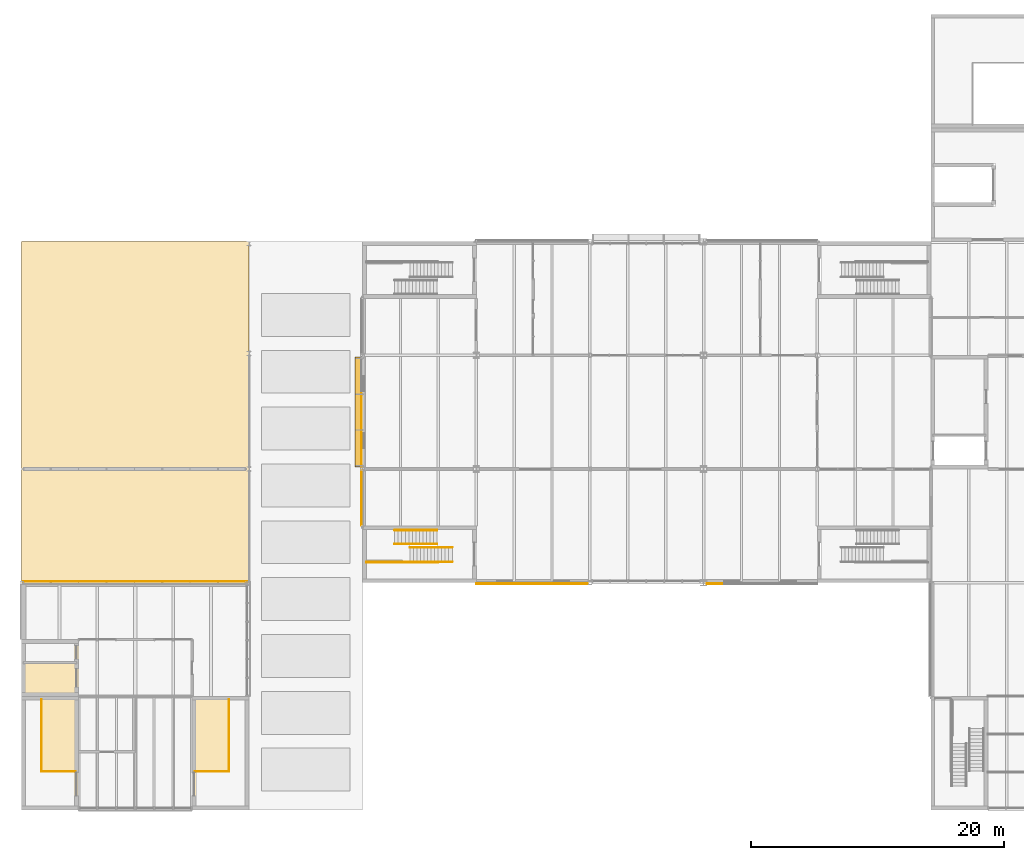
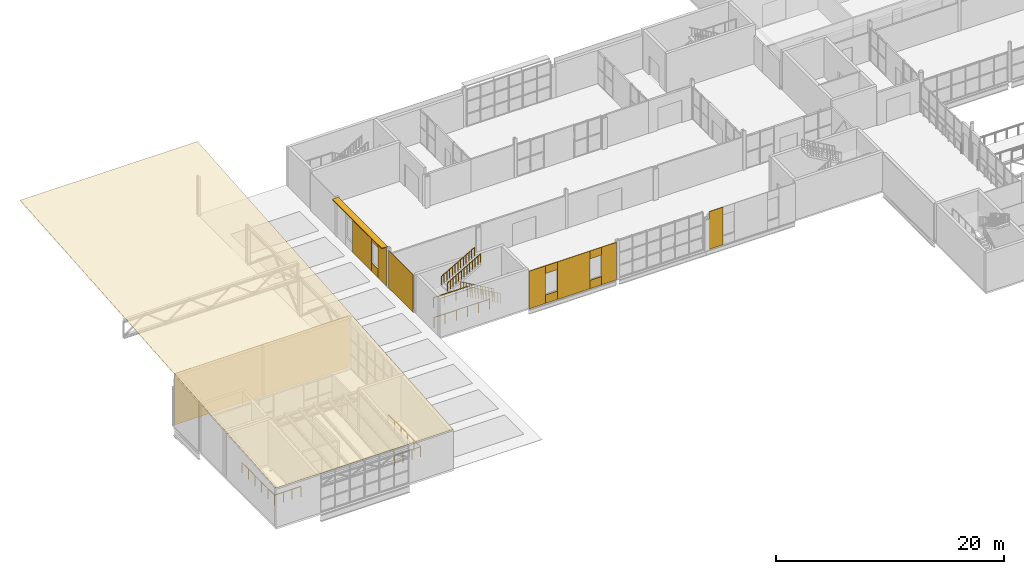
# One storey, part 54 of 61: 16 coverings, 8 railings, 1 shading device.
"""IFC4 building model written with IfcOpenShell, lengths in metres."""

from ifc_helpers import new_model, si_unit, direction, frame, frame_2d, origin, origin_2d, place, context, subcontext, project, spatial, polyline, rectangle, circle, outline, extrude, material, layer, layer_set, type_object, element, save


model = new_model("IFC4")

# Units and contexts
model_context = context("Model", 3, precision=1e-05, world=origin(), true_north=direction((0.0, 1.0)))
body_context = subcontext(model_context, "Body", "Model", "MODEL_VIEW")
ifc_project = project(units=[si_unit("LENGTHUNIT", "METRE"), si_unit("AREAUNIT", "SQUARE_METRE"), si_unit("VOLUMEUNIT", "CUBIC_METRE"), si_unit("PLANEANGLEUNIT", "RADIAN"), si_unit("MASSUNIT", "GRAM", prefix="KILO")], contexts=[model_context])

# Site, building, storey
site_placement = place(None, origin())
site = spatial("IfcSite", under=ifc_project, at=site_placement, CompositionType="ELEMENT")
building_placement = place(site_placement, origin())
building = spatial("IfcBuilding", under=site, at=building_placement, Name="Halyard Row Museum", CompositionType="ELEMENT")
storey_placement = place(building_placement, frame((0.0, 0.0, 9.199951171875)))
storey = spatial("IfcBuildingStorey", under=building, at=storey_placement, Name="L02", CompositionType="ELEMENT", Elevation=9.199951171875)

# Railings
ifc_material_1 = material(Name="Steel Grade 300", Category="steel")
railing_type_1 = type_object("IfcRailingType", Name="Guard GR2 steel balustrade 1100", PredefinedType="GUARDRAIL", material=ifc_material_1)
railing_1_placement = place(storey_placement, frame((34.10009765625, 19.64990234375, 0.16162109375)))
element("IfcRailing", 1, at=railing_1_placement, inside=storey, type_object=railing_type_1, Name="Guard GR035", PredefinedType="GUARDRAIL", context=body_context, shape_type="SweptSolid", body=[
    extrude(circle(Radius=0.02392578125, at=origin_2d()), frame((0.0, 0.0, 1.076171875), z_axis=(-0.86609757561, 0.0, 0.499874973892), x_axis=(0.0, -1.0, 0.0)), (0.0, 0.0, 1.0), 0.3232421875),
    extrude(circle(Radius=0.02392578125, at=origin_2d()), frame((-0.280029296875, 0.0, 1.23779296875), z_axis=(-0.866424426198, 0.0, 0.49930823515), x_axis=(0.0, -1.0, 0.0)), (0.0, 0.0, 1.0), 0.3232421875),
    extrude(circle(Radius=0.02392578125, at=origin_2d()), frame((-0.56005859375, 0.0, 1.39892578125), z_axis=(-0.86609757561, 0.0, 0.499874973892), x_axis=(0.0, -1.0, 0.0)), (0.0, 0.0, 1.0), 0.3232421875),
    extrude(circle(Radius=0.02392578125, at=origin_2d()), frame((-0.840087890625, 0.0, 1.560546875), z_axis=(-0.86609757561, 0.0, 0.499874973892), x_axis=(0.0, -1.0, 0.0)), (0.0, 0.0, 1.0), 0.3232421875),
    extrude(circle(Radius=0.02392578125, at=origin_2d()), frame((-1.1201171875, 0.0, 1.72216796875), z_axis=(-0.866424426198, 0.0, 0.49930823515), x_axis=(0.0, -1.0, 0.0)), (0.0, 0.0, 1.0), 0.3232421875),
    extrude(circle(Radius=0.02392578125, at=origin_2d()), frame((-1.400146484375, 0.0, 1.8837890625), z_axis=(-0.86609757561, 0.0, 0.499874973892), x_axis=(0.0, -1.0, 0.0)), (0.0, 0.0, 1.0), 0.3232421875),
    extrude(circle(Radius=0.02392578125, at=origin_2d()), frame((-1.68017578125, 0.0, 2.04541015625), z_axis=(-0.866424426198, 0.0, 0.49930823515), x_axis=(0.0, -1.0, 0.0)), (0.0, 0.0, 1.0), 0.3232421875),
    extrude(circle(Radius=0.02392578125, at=origin_2d()), frame((-1.960205078125, 0.0, 2.20654296875), z_axis=(-0.865908710228, 0.0, 0.500202064721), x_axis=(0.0, -1.0, 0.0)), (0.0, 0.0, 1.0), 0.322998046875),
    extrude(circle(Radius=0.02392578125, at=origin_2d()), frame((-2.239990234375, 0.0, 2.3681640625), z_axis=(-0.86609757561, 0.0, 0.499874973892), x_axis=(0.0, -1.0, 0.0)), (0.0, 0.0, 1.0), 0.3232421875),
    extrude(circle(Radius=0.02392578125, at=origin_2d()), frame((-2.52001953125, 0.0, 2.52978515625), z_axis=(-0.866424426198, 0.0, 0.49930823515), x_axis=(0.0, -1.0, 0.0)), (0.0, 0.0, 1.0), 0.3232421875),
    extrude(circle(Radius=0.02392578125, at=origin_2d()), frame((-2.800048828125, 0.0, 2.69140625), z_axis=(-0.86609757561, 0.0, 0.499874973892), x_axis=(0.0, -1.0, 0.0)), (0.0, 0.0, 1.0), 0.3232421875),
    extrude(circle(Radius=0.02392578125, at=origin_2d()), frame((-3.080078125, 0.0, 2.85302734375), z_axis=(-0.86609757561, 0.0, 0.499874973892), x_axis=(0.0, -1.0, 0.0)), (0.0, 0.0, 1.0), 0.3232421875),
    extrude(circle(Radius=0.02099609375, at=origin_2d()), origin(), (0.0, 0.0, 1.0), 1.052001953125),
    extrude(circle(Radius=0.02099609375, at=origin_2d()), frame((-0.280029296875, 0.0, 0.16162109375)), (0.0, 0.0, 1.0), 1.052001953125),
    extrude(circle(Radius=0.02099609375, at=origin_2d()), frame((-0.56005859375, 0.0, 0.322998046875)), (0.0, 0.0, 1.0), 1.052001953125),
    extrude(circle(Radius=0.02099609375, at=origin_2d()), frame((-0.840087890625, 0.0, 0.484619140625)), (0.0, 0.0, 1.0), 1.052001953125),
    extrude(circle(Radius=0.02099609375, at=origin_2d()), frame((-1.1201171875, 0.0, 0.646240234375)), (0.0, 0.0, 1.0), 1.052001953125),
    extrude(circle(Radius=0.02099609375, at=origin_2d()), frame((-1.400146484375, 0.0, 0.8076171875)), (0.0, 0.0, 1.0), 1.052001953125),
    extrude(circle(Radius=0.02099609375, at=origin_2d()), frame((-1.68017578125, 0.0, 0.96923828125)), (0.0, 0.0, 1.0), 1.052001953125),
    extrude(circle(Radius=0.02099609375, at=origin_2d()), frame((-1.960205078125, 0.0, 1.130615234375)), (0.0, 0.0, 1.0), 1.052001953125),
    extrude(circle(Radius=0.02099609375, at=origin_2d()), frame((-2.239990234375, 0.0, 1.292236328125)), (0.0, 0.0, 1.0), 1.052001953125),
    extrude(circle(Radius=0.02099609375, at=origin_2d()), frame((-2.52001953125, 0.0, 1.453857421875)), (0.0, 0.0, 1.0), 1.052001953125),
    extrude(circle(Radius=0.02099609375, at=origin_2d()), frame((-2.800048828125, 0.0, 1.615234375)), (0.0, 0.0, 1.0), 1.052001953125),
    extrude(circle(Radius=0.02099609375, at=origin_2d()), frame((-3.080078125, 0.0, 1.77685546875)), (0.0, 0.0, 1.0), 1.052001953125),
    extrude(circle(Radius=0.02099609375, at=origin_2d()), frame((-3.360107421875, 0.0, 1.9384765625)), (0.0, 0.0, 1.0), 1.052001953125),
])
railing_2_placement = place(storey_placement, frame((30.739990234375, 19.64990234375, 2.10009765625)))
element("IfcRailing", 2, at=railing_2_placement, inside=storey, type_object=railing_type_1, Name="Guard GR036", PredefinedType="GUARDRAIL", context=body_context, shape_type="SweptSolid", body=[
    extrude(circle(Radius=0.02392578125, at=origin_2d()), frame((0.0, 0.0, 1.076171875), z_axis=(-1.0, 0.0, 0.0), x_axis=(0.0, -1.0, 0.0)), (0.0, 0.0, 1.0), 3.43994140625),
    extrude(circle(Radius=0.02099609375, at=origin_2d()), origin(), (0.0, 0.0, 1.0), 1.052001953125),
    extrude(circle(Radius=0.02099609375, at=origin_2d()), frame((-1.146728515625, 0.0, 0.0)), (0.0, 0.0, 1.0), 1.052001953125),
    extrude(circle(Radius=0.02099609375, at=origin_2d()), frame((-2.293212890625, 0.0, 0.0)), (0.0, 0.0, 1.0), 1.052001953125),
    extrude(circle(Radius=0.02099609375, at=origin_2d()), frame((-3.43994140625, 0.0, 0.0)), (0.0, 0.0, 1.0), 1.052001953125),
])
railing_3_placement = place(storey_placement, frame((32.9599609375, 19.590087890625, 0.0)))
element("IfcRailing", 3, at=railing_3_placement, inside=storey, type_object=railing_type_1, Name="Guard GR153", PredefinedType="GUARDRAIL", context=body_context, shape_type="SweptSolid", body=[
    extrude(circle(Radius=0.02392578125, at=origin_2d()), frame((0.0, 0.0, 1.076171875), z_axis=(-1.0, 0.0, 0.0), x_axis=(0.0, -1.0, 0.0)), (0.0, 0.0, 1.0), 5.6298828125),
    extrude(circle(Radius=0.02099609375, at=origin_2d()), origin(), (0.0, 0.0, 1.0), 1.052001953125),
    extrude(circle(Radius=0.02099609375, at=origin_2d()), frame((-1.1259765625, 0.0, 0.0)), (0.0, 0.0, 1.0), 1.052001953125),
    extrude(circle(Radius=0.02099609375, at=origin_2d()), frame((-2.251953125, 0.0, 0.0)), (0.0, 0.0, 1.0), 1.052001953125),
    extrude(circle(Radius=0.02099609375, at=origin_2d()), frame((-3.3779296875, 0.0, 0.0)), (0.0, 0.0, 1.0), 1.052001953125),
    extrude(circle(Radius=0.02099609375, at=origin_2d()), frame((-4.50390625, 0.0, 0.0)), (0.0, 0.0, 1.0), 1.052001953125),
    extrude(circle(Radius=0.02099609375, at=origin_2d()), frame((-5.6298828125, 0.0, 0.0)), (0.0, 0.0, 1.0), 1.052001953125),
])
railing_4_placement = place(storey_placement, frame((16.409912109375, 8.760009765625, 0.0)))
element("IfcRailing", 4, at=railing_4_placement, inside=storey, type_object=railing_type_1, Name="Guard GR172", PredefinedType="GUARDRAIL", context=body_context, shape_type="SweptSolid", body=[
    extrude(circle(Radius=0.02392578125, at=origin_2d()), frame((0.0, 0.0, 1.076171875), z_axis=(0.0, -1.0, 0.0), x_axis=(1.0, 0.0, 0.0)), (0.0, 0.0, 1.0), 5.719970703125),
    extrude(circle(Radius=0.02392578125, at=origin_2d()), frame((0.0, -5.719970703125, 1.076171875), z_axis=(-1.0, 0.0, 0.0), x_axis=(0.0, -1.0, 0.0)), (0.0, 0.0, 1.0), 2.669921875),
    extrude(circle(Radius=0.02099609375, at=origin_2d()), origin(), (0.0, 0.0, 1.0), 1.052001953125),
    extrude(circle(Radius=0.02099609375, at=origin_2d()), frame((0.0, -1.14404296875, 0.0)), (0.0, 0.0, 1.0), 1.052001953125),
    extrude(circle(Radius=0.02099609375, at=origin_2d()), frame((0.0, -2.2880859375, 0.0)), (0.0, 0.0, 1.0), 1.052001953125),
    extrude(circle(Radius=0.02099609375, at=origin_2d()), frame((0.0, -3.431884765625, 0.0)), (0.0, 0.0, 1.0), 1.052001953125),
    extrude(circle(Radius=0.02099609375, at=origin_2d()), frame((0.0, -4.575927734375, 0.0)), (0.0, 0.0, 1.0), 1.052001953125),
    extrude(circle(Radius=0.02099609375, at=origin_2d()), frame((0.0, -5.719970703125, 0.0)), (0.0, 0.0, 1.0), 1.052001953125),
    extrude(circle(Radius=0.02099609375, at=origin_2d()), frame((-0.889892578125, -5.719970703125, 0.0)), (0.0, 0.0, 1.0), 1.052001953125),
    extrude(circle(Radius=0.02099609375, at=origin_2d()), frame((-1.780029296875, -5.719970703125, 0.0)), (0.0, 0.0, 1.0), 1.052001953125),
    extrude(circle(Radius=0.02099609375, at=origin_2d()), frame((-2.669921875, -5.719970703125, 0.0)), (0.0, 0.0, 1.0), 1.052001953125),
])
railing_5_placement = place(storey_placement, frame((4.260009765625, 3.0400390625, 0.0)))
element("IfcRailing", 5, at=railing_5_placement, inside=storey, type_object=railing_type_1, Name="Guard GR177", PredefinedType="GUARDRAIL", context=body_context, shape_type="SweptSolid", body=[
    extrude(circle(Radius=0.02392578125, at=origin_2d()), frame((0.0, 0.0, 1.076171875), z_axis=(-1.0, 0.0, 0.0), x_axis=(0.0, -1.0, 0.0)), (0.0, 0.0, 1.0), 2.669921875),
    extrude(circle(Radius=0.02392578125, at=origin_2d()), frame((-2.669921875, 0.0, 1.076171875), z_axis=(0.0, 1.0, 0.0), x_axis=(-1.0, 0.0, 0.0)), (0.0, 0.0, 1.0), 5.719970703125),
    extrude(circle(Radius=0.02099609375, at=origin_2d()), origin(), (0.0, 0.0, 1.0), 1.052001953125),
    extrude(circle(Radius=0.02099609375, at=origin_2d()), frame((-0.889892578125, 0.0, 0.0)), (0.0, 0.0, 1.0), 1.052001953125),
    extrude(circle(Radius=0.02099609375, at=origin_2d()), frame((-1.780029296875, 0.0, 0.0)), (0.0, 0.0, 1.0), 1.052001953125),
    extrude(circle(Radius=0.02099609375, at=origin_2d()), frame((-2.669921875, 0.0, 0.0)), (0.0, 0.0, 1.0), 1.052001953125),
    extrude(circle(Radius=0.02099609375, at=origin_2d()), frame((-2.669921875, 1.14404296875, 0.0)), (0.0, 0.0, 1.0), 1.052001953125),
    extrude(circle(Radius=0.02099609375, at=origin_2d()), frame((-2.669921875, 2.2880859375, 0.0)), (0.0, 0.0, 1.0), 1.052001953125),
    extrude(circle(Radius=0.02099609375, at=origin_2d()), frame((-2.669921875, 3.431884765625, 0.0)), (0.0, 0.0, 1.0), 1.052001953125),
    extrude(circle(Radius=0.02099609375, at=origin_2d()), frame((-2.669921875, 4.575927734375, 0.0)), (0.0, 0.0, 1.0), 1.052001953125),
    extrude(circle(Radius=0.02099609375, at=origin_2d()), frame((-2.669921875, 5.719970703125, 0.0)), (0.0, 0.0, 1.0), 1.052001953125),
])
ifc_material_2 = material(Name="Steel Grade 300", Category="steel")
railing_type_2 = type_object("IfcRailingType", Name="Handrail HR2 steel 900", PredefinedType="HANDRAIL", material=ifc_material_2)
railing_6_placement = place(storey_placement, frame((34.10009765625, 20.800048828125, 0.16162109375)))
element("IfcRailing", 6, at=railing_6_placement, inside=storey, type_object=railing_type_2, Name="Handrail HR052", PredefinedType="HANDRAIL", context=body_context, shape_type="SweptSolid", body=[
    extrude(circle(Radius=0.02392578125, at=origin_2d()), frame((0.0, 0.0, 0.8759765625), z_axis=(-0.86609757561, 0.0, 0.499874973892), x_axis=(0.0, -1.0, 0.0)), (0.0, 0.0, 1.0), 0.3232421875),
    extrude(circle(Radius=0.02392578125, at=origin_2d()), frame((-0.280029296875, 0.0, 1.03759765625), z_axis=(-0.866424426198, 0.0, 0.49930823515), x_axis=(0.0, -1.0, 0.0)), (0.0, 0.0, 1.0), 0.3232421875),
    extrude(circle(Radius=0.02392578125, at=origin_2d()), frame((-0.56005859375, 0.0, 1.19873046875), z_axis=(-0.86609757561, 0.0, 0.499874973892), x_axis=(0.0, -1.0, 0.0)), (0.0, 0.0, 1.0), 0.3232421875),
    extrude(circle(Radius=0.02392578125, at=origin_2d()), frame((-0.840087890625, 0.0, 1.3603515625), z_axis=(-0.86609757561, 0.0, 0.499874973892), x_axis=(0.0, -1.0, 0.0)), (0.0, 0.0, 1.0), 0.3232421875),
    extrude(circle(Radius=0.02392578125, at=origin_2d()), frame((-1.1201171875, 0.0, 1.52197265625), z_axis=(-0.866424426198, 0.0, 0.49930823515), x_axis=(0.0, -1.0, 0.0)), (0.0, 0.0, 1.0), 0.3232421875),
    extrude(circle(Radius=0.02392578125, at=origin_2d()), frame((-1.400146484375, 0.0, 1.68359375), z_axis=(-0.86609757561, 0.0, 0.499874973892), x_axis=(0.0, -1.0, 0.0)), (0.0, 0.0, 1.0), 0.3232421875),
    extrude(circle(Radius=0.02392578125, at=origin_2d()), frame((-1.68017578125, 0.0, 1.84521484375), z_axis=(-0.866424426198, 0.0, 0.49930823515), x_axis=(0.0, -1.0, 0.0)), (0.0, 0.0, 1.0), 0.3232421875),
    extrude(circle(Radius=0.02392578125, at=origin_2d()), frame((-1.960205078125, 0.0, 2.00634765625), z_axis=(-0.865908710228, 0.0, 0.500202064721), x_axis=(0.0, -1.0, 0.0)), (0.0, 0.0, 1.0), 0.322998046875),
    extrude(circle(Radius=0.02392578125, at=origin_2d()), frame((-2.239990234375, 0.0, 2.16796875), z_axis=(-0.86609757561, 0.0, 0.499874973892), x_axis=(0.0, -1.0, 0.0)), (0.0, 0.0, 1.0), 0.3232421875),
    extrude(circle(Radius=0.02392578125, at=origin_2d()), frame((-2.52001953125, 0.0, 2.32958984375), z_axis=(-0.866424426198, 0.0, 0.49930823515), x_axis=(0.0, -1.0, 0.0)), (0.0, 0.0, 1.0), 0.3232421875),
    extrude(circle(Radius=0.02392578125, at=origin_2d()), frame((-2.800048828125, 0.0, 2.4912109375), z_axis=(-0.86609757561, 0.0, 0.499874973892), x_axis=(0.0, -1.0, 0.0)), (0.0, 0.0, 1.0), 0.3232421875),
    extrude(circle(Radius=0.02392578125, at=origin_2d()), frame((-3.080078125, 0.0, 2.65283203125), z_axis=(-0.86609757561, 0.0, 0.499874973892), x_axis=(0.0, -1.0, 0.0)), (0.0, 0.0, 1.0), 0.3232421875),
    extrude(circle(Radius=0.02099609375, at=origin_2d()), origin(), (0.0, 0.0, 1.0), 0.851806640625),
    extrude(circle(Radius=0.02099609375, at=origin_2d()), frame((-0.280029296875, 0.0, 0.16162109375)), (0.0, 0.0, 1.0), 0.851806640625),
    extrude(circle(Radius=0.02099609375, at=origin_2d()), frame((-0.56005859375, 0.0, 0.322998046875)), (0.0, 0.0, 1.0), 0.851806640625),
    extrude(circle(Radius=0.02099609375, at=origin_2d()), frame((-0.840087890625, 0.0, 0.484619140625)), (0.0, 0.0, 1.0), 0.851806640625),
    extrude(circle(Radius=0.02099609375, at=origin_2d()), frame((-1.1201171875, 0.0, 0.646240234375)), (0.0, 0.0, 1.0), 0.851806640625),
    extrude(circle(Radius=0.02099609375, at=origin_2d()), frame((-1.400146484375, 0.0, 0.8076171875)), (0.0, 0.0, 1.0), 0.851806640625),
    extrude(circle(Radius=0.02099609375, at=origin_2d()), frame((-1.68017578125, 0.0, 0.96923828125)), (0.0, 0.0, 1.0), 0.851806640625),
    extrude(circle(Radius=0.02099609375, at=origin_2d()), frame((-1.960205078125, 0.0, 1.130615234375)), (0.0, 0.0, 1.0), 0.851806640625),
    extrude(circle(Radius=0.02099609375, at=origin_2d()), frame((-2.239990234375, 0.0, 1.292236328125)), (0.0, 0.0, 1.0), 0.851806640625),
    extrude(circle(Radius=0.02099609375, at=origin_2d()), frame((-2.52001953125, 0.0, 1.453857421875)), (0.0, 0.0, 1.0), 0.851806640625),
    extrude(circle(Radius=0.02099609375, at=origin_2d()), frame((-2.800048828125, 0.0, 1.615234375)), (0.0, 0.0, 1.0), 0.851806640625),
    extrude(circle(Radius=0.02099609375, at=origin_2d()), frame((-3.080078125, 0.0, 1.77685546875)), (0.0, 0.0, 1.0), 0.851806640625),
    extrude(circle(Radius=0.02099609375, at=origin_2d()), frame((-3.360107421875, 0.0, 1.9384765625)), (0.0, 0.0, 1.0), 0.851806640625),
])
railing_7_placement = place(storey_placement, frame((29.5400390625, 22.14990234375, 2.261474609375)))
element("IfcRailing", 7, at=railing_7_placement, inside=storey, type_object=railing_type_2, Name="Handrail HR053", PredefinedType="HANDRAIL", context=body_context, shape_type="SweptSolid", body=[
    extrude(circle(Radius=0.02392578125, at=origin_2d()), frame((0.0, 0.0, 0.8759765625), z_axis=(0.86609757561, 0.0, 0.499874973892), x_axis=(0.0, 1.0, 0.0)), (0.0, 0.0, 1.0), 0.3232421875),
    extrude(circle(Radius=0.02392578125, at=origin_2d()), frame((0.280029296875, 0.0, 1.03759765625), z_axis=(0.86609757561, 0.0, 0.499874973892), x_axis=(0.0, 1.0, 0.0)), (0.0, 0.0, 1.0), 0.3232421875),
    extrude(circle(Radius=0.02392578125, at=origin_2d()), frame((0.56005859375, 0.0, 1.19921875), z_axis=(0.866235917577, 0.0, 0.499635202023), x_axis=(0.0, 1.0, 0.0)), (0.0, 0.0, 1.0), 0.322998046875),
    extrude(circle(Radius=0.02392578125, at=origin_2d()), frame((0.83984375, 0.0, 1.3603515625), z_axis=(0.86609757561, 0.0, 0.499874973892), x_axis=(0.0, 1.0, 0.0)), (0.0, 0.0, 1.0), 0.3232421875),
    extrude(circle(Radius=0.02392578125, at=origin_2d()), frame((1.119873046875, 0.0, 1.52197265625), z_axis=(0.86609757561, 0.0, 0.499874973892), x_axis=(0.0, 1.0, 0.0)), (0.0, 0.0, 1.0), 0.3232421875),
    extrude(circle(Radius=0.02392578125, at=origin_2d()), frame((1.39990234375, 0.0, 1.68359375), z_axis=(0.866424426198, 0.0, 0.49930823515), x_axis=(0.0, 1.0, 0.0)), (0.0, 0.0, 1.0), 0.3232421875),
    extrude(circle(Radius=0.02392578125, at=origin_2d()), frame((1.679931640625, 0.0, 1.84521484375), z_axis=(0.86609757561, 0.0, 0.499874973892), x_axis=(0.0, 1.0, 0.0)), (0.0, 0.0, 1.0), 0.3232421875),
    extrude(circle(Radius=0.02392578125, at=origin_2d()), frame((1.9599609375, 0.0, 2.0068359375), z_axis=(0.86609757561, 0.0, 0.499874973892), x_axis=(0.0, 1.0, 0.0)), (0.0, 0.0, 1.0), 0.3232421875),
    extrude(circle(Radius=0.02392578125, at=origin_2d()), frame((2.239990234375, 0.0, 2.16845703125), z_axis=(0.866424426198, 0.0, 0.49930823515), x_axis=(0.0, 1.0, 0.0)), (0.0, 0.0, 1.0), 0.3232421875),
    extrude(circle(Radius=0.02392578125, at=origin_2d()), frame((2.52001953125, 0.0, 2.32958984375), z_axis=(0.86609757561, 0.0, 0.499874973892), x_axis=(0.0, 1.0, 0.0)), (0.0, 0.0, 1.0), 0.3232421875),
    extrude(circle(Radius=0.02392578125, at=origin_2d()), frame((2.800048828125, 0.0, 2.4912109375), z_axis=(0.86609757561, 0.0, 0.499874973892), x_axis=(0.0, 1.0, 0.0)), (0.0, 0.0, 1.0), 0.3232421875),
    extrude(circle(Radius=0.02392578125, at=origin_2d()), frame((3.080078125, 0.0, 2.65283203125), z_axis=(0.866235917577, 0.0, 0.499635202023), x_axis=(0.0, 1.0, 0.0)), (0.0, 0.0, 1.0), 0.322998046875),
    extrude(circle(Radius=0.02099609375, at=origin_2d()), origin(), (0.0, 0.0, 1.0), 0.851806640625),
    extrude(circle(Radius=0.02099609375, at=origin_2d()), frame((0.280029296875, 0.0, 0.16162109375)), (0.0, 0.0, 1.0), 0.851806640625),
    extrude(circle(Radius=0.02099609375, at=origin_2d()), frame((0.56005859375, 0.0, 0.3232421875)), (0.0, 0.0, 1.0), 0.851806640625),
    extrude(circle(Radius=0.02099609375, at=origin_2d()), frame((0.83984375, 0.0, 0.484619140625)), (0.0, 0.0, 1.0), 0.851806640625),
    extrude(circle(Radius=0.02099609375, at=origin_2d()), frame((1.119873046875, 0.0, 0.646240234375)), (0.0, 0.0, 1.0), 0.851806640625),
    extrude(circle(Radius=0.02099609375, at=origin_2d()), frame((1.39990234375, 0.0, 0.807861328125)), (0.0, 0.0, 1.0), 0.851806640625),
    extrude(circle(Radius=0.02099609375, at=origin_2d()), frame((1.679931640625, 0.0, 0.96923828125)), (0.0, 0.0, 1.0), 0.851806640625),
    extrude(circle(Radius=0.02099609375, at=origin_2d()), frame((1.9599609375, 0.0, 1.130859375)), (0.0, 0.0, 1.0), 0.851806640625),
    extrude(circle(Radius=0.02099609375, at=origin_2d()), frame((2.239990234375, 0.0, 1.29248046875)), (0.0, 0.0, 1.0), 0.851806640625),
    extrude(circle(Radius=0.02099609375, at=origin_2d()), frame((2.52001953125, 0.0, 1.453857421875)), (0.0, 0.0, 1.0), 0.851806640625),
    extrude(circle(Radius=0.02099609375, at=origin_2d()), frame((2.800048828125, 0.0, 1.615478515625)), (0.0, 0.0, 1.0), 0.851806640625),
    extrude(circle(Radius=0.02099609375, at=origin_2d()), frame((3.080078125, 0.0, 1.777099609375)), (0.0, 0.0, 1.0), 0.851806640625),
    extrude(circle(Radius=0.02099609375, at=origin_2d()), frame((3.35986328125, 0.0, 1.9384765625)), (0.0, 0.0, 1.0), 0.851806640625),
])
railing_8_placement = place(storey_placement, frame((29.5400390625, 21.050048828125, 2.261474609375)))
element("IfcRailing", 8, at=railing_8_placement, inside=storey, type_object=railing_type_2, Name="Handrail HR054", PredefinedType="HANDRAIL", context=body_context, shape_type="SweptSolid", body=[
    extrude(circle(Radius=0.02392578125, at=origin_2d()), frame((0.0, 0.0, 0.8759765625), z_axis=(0.86609757561, 0.0, 0.499874973892), x_axis=(0.0, 1.0, 0.0)), (0.0, 0.0, 1.0), 0.3232421875),
    extrude(circle(Radius=0.02392578125, at=origin_2d()), frame((0.280029296875, 0.0, 1.03759765625), z_axis=(0.86609757561, 0.0, 0.499874973892), x_axis=(0.0, 1.0, 0.0)), (0.0, 0.0, 1.0), 0.3232421875),
    extrude(circle(Radius=0.02392578125, at=origin_2d()), frame((0.56005859375, 0.0, 1.19921875), z_axis=(0.866235917577, 0.0, 0.499635202023), x_axis=(0.0, 1.0, 0.0)), (0.0, 0.0, 1.0), 0.322998046875),
    extrude(circle(Radius=0.02392578125, at=origin_2d()), frame((0.83984375, 0.0, 1.3603515625), z_axis=(0.86609757561, 0.0, 0.499874973892), x_axis=(0.0, 1.0, 0.0)), (0.0, 0.0, 1.0), 0.3232421875),
    extrude(circle(Radius=0.02392578125, at=origin_2d()), frame((1.119873046875, 0.0, 1.52197265625), z_axis=(0.86609757561, 0.0, 0.499874973892), x_axis=(0.0, 1.0, 0.0)), (0.0, 0.0, 1.0), 0.3232421875),
    extrude(circle(Radius=0.02392578125, at=origin_2d()), frame((1.39990234375, 0.0, 1.68359375), z_axis=(0.866424426198, 0.0, 0.49930823515), x_axis=(0.0, 1.0, 0.0)), (0.0, 0.0, 1.0), 0.3232421875),
    extrude(circle(Radius=0.02392578125, at=origin_2d()), frame((1.679931640625, 0.0, 1.84521484375), z_axis=(0.86609757561, 0.0, 0.499874973892), x_axis=(0.0, 1.0, 0.0)), (0.0, 0.0, 1.0), 0.3232421875),
    extrude(circle(Radius=0.02392578125, at=origin_2d()), frame((1.9599609375, 0.0, 2.0068359375), z_axis=(0.86609757561, 0.0, 0.499874973892), x_axis=(0.0, 1.0, 0.0)), (0.0, 0.0, 1.0), 0.3232421875),
    extrude(circle(Radius=0.02392578125, at=origin_2d()), frame((2.239990234375, 0.0, 2.16845703125), z_axis=(0.866424426198, 0.0, 0.49930823515), x_axis=(0.0, 1.0, 0.0)), (0.0, 0.0, 1.0), 0.3232421875),
    extrude(circle(Radius=0.02392578125, at=origin_2d()), frame((2.52001953125, 0.0, 2.32958984375), z_axis=(0.86609757561, 0.0, 0.499874973892), x_axis=(0.0, 1.0, 0.0)), (0.0, 0.0, 1.0), 0.3232421875),
    extrude(circle(Radius=0.02392578125, at=origin_2d()), frame((2.800048828125, 0.0, 2.4912109375), z_axis=(0.86609757561, 0.0, 0.499874973892), x_axis=(0.0, 1.0, 0.0)), (0.0, 0.0, 1.0), 0.3232421875),
    extrude(circle(Radius=0.02392578125, at=origin_2d()), frame((3.080078125, 0.0, 2.65283203125), z_axis=(0.866235917577, 0.0, 0.499635202023), x_axis=(0.0, 1.0, 0.0)), (0.0, 0.0, 1.0), 0.322998046875),
    extrude(circle(Radius=0.02099609375, at=origin_2d()), origin(), (0.0, 0.0, 1.0), 0.851806640625),
    extrude(circle(Radius=0.02099609375, at=origin_2d()), frame((0.280029296875, 0.0, 0.16162109375)), (0.0, 0.0, 1.0), 0.851806640625),
    extrude(circle(Radius=0.02099609375, at=origin_2d()), frame((0.56005859375, 0.0, 0.3232421875)), (0.0, 0.0, 1.0), 0.851806640625),
    extrude(circle(Radius=0.02099609375, at=origin_2d()), frame((0.83984375, 0.0, 0.484619140625)), (0.0, 0.0, 1.0), 0.851806640625),
    extrude(circle(Radius=0.02099609375, at=origin_2d()), frame((1.119873046875, 0.0, 0.646240234375)), (0.0, 0.0, 1.0), 0.851806640625),
    extrude(circle(Radius=0.02099609375, at=origin_2d()), frame((1.39990234375, 0.0, 0.807861328125)), (0.0, 0.0, 1.0), 0.851806640625),
    extrude(circle(Radius=0.02099609375, at=origin_2d()), frame((1.679931640625, 0.0, 0.96923828125)), (0.0, 0.0, 1.0), 0.851806640625),
    extrude(circle(Radius=0.02099609375, at=origin_2d()), frame((1.9599609375, 0.0, 1.130859375)), (0.0, 0.0, 1.0), 0.851806640625),
    extrude(circle(Radius=0.02099609375, at=origin_2d()), frame((2.239990234375, 0.0, 1.29248046875)), (0.0, 0.0, 1.0), 0.851806640625),
    extrude(circle(Radius=0.02099609375, at=origin_2d()), frame((2.52001953125, 0.0, 1.453857421875)), (0.0, 0.0, 1.0), 0.851806640625),
    extrude(circle(Radius=0.02099609375, at=origin_2d()), frame((2.800048828125, 0.0, 1.615478515625)), (0.0, 0.0, 1.0), 0.851806640625),
    extrude(circle(Radius=0.02099609375, at=origin_2d()), frame((3.080078125, 0.0, 1.777099609375)), (0.0, 0.0, 1.0), 0.851806640625),
    extrude(circle(Radius=0.02099609375, at=origin_2d()), frame((3.35986328125, 0.0, 1.9384765625)), (0.0, 0.0, 1.0), 0.851806640625),
])

# Coverings
ifc_material_3 = material(Name="Single-ply roofing membrane on insulation", Category="general")
ifc_layer_1 = layer(ifc_material_3, 0.02001953125)
ifc_layer_set_1 = layer_set([ifc_layer_1], Name="Single-ply roofing membrane on insulation")
covering_type_1 = type_object("IfcCoveringType", Name="Roofing membrane 20", PredefinedType="ROOFING", material=ifc_layer_set_1)
covering_1_placement = place(storey_placement, frame((0.0, 0.0, 4.219970703125), z_axis=(0.0, -0.079747371753, 0.996815106576), x_axis=(1.0, 0.0, 0.0)))
element("IfcCovering", 9, at=covering_1_placement, inside=storey, type_object=covering_type_1, Name="Roofing RC-V3", PredefinedType="ROOFING", context=body_context, shape_type="SweptSolid", body=[
    extrude(outline(polyline([(0.0, 0.0), (18.0, 0.0), (18.0, 45.14377812206835), (0.0, 45.14377812206835), (0.0, 0.0)])), origin(), (0.0, 0.0, -1.0), 0.02001953125),
])
ifc_material_4 = material(Name="Fire-retardant Type A timber battens", Category="wood")
ifc_layer_2 = layer(ifc_material_4, 0.050048828125)
ifc_layer_set_2 = layer_set([ifc_layer_2], Name="Fire-retardant Type A timber battens")
covering_type_2 = type_object("IfcCoveringType", Name="Timber batten cladding 50", PredefinedType="CLADDING", material=ifc_layer_set_2)
covering_2_placement = place(storey_placement, frame((26.9150390625, 33.14990234375, 0.0), z_axis=(0.0, 0.0, 1.0), x_axis=(0.0, -1.0, 0.0)))
element("IfcCovering", 10, at=covering_2_placement, inside=storey, type_object=covering_type_2, Name="Cladding CLL02-009", PredefinedType="CLADDING", context=body_context, shape_type="SweptSolid", body=[
    extrude(rectangle(XDim=3.2998046875, YDim=0.050048828125, at=frame_2d((1.64990234375, 0.0))), origin(), (0.0, 0.0, 1.0), 4.03515625),
])
covering_3_placement = place(storey_placement, frame((26.9150390625, 28.64990234375, 0.0), z_axis=(0.0, 0.0, 1.0), x_axis=(0.0, -1.0, 0.0)))
element("IfcCovering", 11, at=covering_3_placement, inside=storey, type_object=covering_type_2, Name="Cladding CLL02-010", PredefinedType="CLADDING", context=body_context, shape_type="SweptSolid", body=[
    extrude(rectangle(XDim=1.5, YDim=0.050048828125, at=frame_2d((0.75, 0.0))), origin(), (0.0, 0.0, 1.0), 4.03515625),
])
covering_4_placement = place(storey_placement, frame((26.9150390625, 29.85009765625, 0.0), z_axis=(0.0, 0.0, 1.0), x_axis=(0.0, -1.0, 0.0)))
element("IfcCovering", 12, at=covering_4_placement, inside=storey, type_object=covering_type_2, Name="Cladding CLL02-013", PredefinedType="CLADDING", context=body_context, shape_type="SweptSolid", body=[
    extrude(rectangle(XDim=1.2001953125, YDim=0.050048828125, at=frame_2d((0.60009765625, 0.0))), origin(), (0.0, 0.0, 1.0), 0.900146484375),
])
covering_5_placement = place(storey_placement, frame((26.9150390625, 29.85009765625, 3.199951171875), z_axis=(0.0, 0.0, 1.0), x_axis=(0.0, -1.0, 0.0)))
element("IfcCovering", 13, at=covering_5_placement, inside=storey, type_object=covering_type_2, Name="Cladding CLL02-014", PredefinedType="CLADDING", context=body_context, shape_type="SweptSolid", body=[
    extrude(rectangle(XDim=1.2001953125, YDim=0.050048828125, at=frame_2d((0.60009765625, 0.0))), origin(), (0.0, 0.0, 1.0), 0.835205078125),
])
covering_6_placement = place(storey_placement, frame((26.9150390625, 26.85009765625, 0.0), z_axis=(0.0, 0.0, 1.0), x_axis=(0.0, -1.0, 0.0)))
element("IfcCovering", 14, at=covering_6_placement, inside=storey, type_object=covering_type_2, Name="Cladding CLL02-015", PredefinedType="CLADDING", context=body_context, shape_type="SweptSolid", body=[
    extrude(rectangle(XDim=4.35009765625, YDim=0.050048828125, at=frame_2d((2.175048828125, 0.0))), origin(), (0.0, 0.0, 1.0), 4.03515625),
])
covering_7_placement = place(storey_placement, frame((36.0, 17.9150390625, 0.0), z_axis=(0.0, 0.0, 1.0), x_axis=(1.0, 0.0, 0.0)))
element("IfcCovering", 15, at=covering_7_placement, inside=storey, type_object=covering_type_2, Name="Cladding CLL02-016", PredefinedType="CLADDING", context=body_context, shape_type="SweptSolid", body=[
    extrude(rectangle(XDim=1.64990234375, YDim=0.050048828125, at=frame_2d((0.824951171875, 0.0))), origin(), (0.0, 0.0, 1.0), 4.03515625),
])
covering_8_placement = place(storey_placement, frame((38.85009765625, 17.9150390625, 0.0), z_axis=(0.0, 0.0, 1.0), x_axis=(1.0, 0.0, 0.0)))
element("IfcCovering", 16, at=covering_8_placement, inside=storey, type_object=covering_type_2, Name="Cladding CLL02-017", PredefinedType="CLADDING", context=body_context, shape_type="SweptSolid", body=[
    extrude(rectangle(XDim=3.2998046875, YDim=0.050048828125, at=frame_2d((1.64990234375, 0.0))), origin(), (0.0, 0.0, 1.0), 4.03515625),
])
covering_9_placement = place(storey_placement, frame((43.35009765625, 17.9150390625, 0.0), z_axis=(0.0, 0.0, 1.0), x_axis=(1.0, 0.0, 0.0)))
element("IfcCovering", 17, at=covering_9_placement, inside=storey, type_object=covering_type_2, Name="Cladding CLL02-018", PredefinedType="CLADDING", context=body_context, shape_type="SweptSolid", body=[
    extrude(rectangle(XDim=1.5, YDim=0.050048828125, at=frame_2d((0.75, 0.0))), origin(), (0.0, 0.0, 1.0), 4.03515625),
])
covering_10_placement = place(storey_placement, frame((37.64990234375, 17.9150390625, 0.0), z_axis=(0.0, 0.0, 1.0), x_axis=(1.0, 0.0, 0.0)))
element("IfcCovering", 18, at=covering_10_placement, inside=storey, type_object=covering_type_2, Name="Cladding CLL02-019", PredefinedType="CLADDING", context=body_context, shape_type="SweptSolid", body=[
    extrude(rectangle(XDim=1.2001953125, YDim=0.050048828125, at=frame_2d((0.60009765625, 0.0))), origin(), (0.0, 0.0, 1.0), 0.900146484375),
])
covering_11_placement = place(storey_placement, frame((37.64990234375, 17.9150390625, 3.199951171875), z_axis=(0.0, 0.0, 1.0), x_axis=(1.0, 0.0, 0.0)))
element("IfcCovering", 19, at=covering_11_placement, inside=storey, type_object=covering_type_2, Name="Cladding CLL02-020", PredefinedType="CLADDING", context=body_context, shape_type="SweptSolid", body=[
    extrude(rectangle(XDim=1.2001953125, YDim=0.050048828125, at=frame_2d((0.60009765625, 0.0))), origin(), (0.0, 0.0, 1.0), 0.835205078125),
])
covering_12_placement = place(storey_placement, frame((42.14990234375, 17.9150390625, 0.0), z_axis=(0.0, 0.0, 1.0), x_axis=(1.0, 0.0, 0.0)))
element("IfcCovering", 20, at=covering_12_placement, inside=storey, type_object=covering_type_2, Name="Cladding CLL02-021", PredefinedType="CLADDING", context=body_context, shape_type="SweptSolid", body=[
    extrude(rectangle(XDim=1.2001953125, YDim=0.050048828125, at=frame_2d((0.60009765625, 0.0))), origin(), (0.0, 0.0, 1.0), 0.900146484375),
])
covering_13_placement = place(storey_placement, frame((42.14990234375, 17.9150390625, 3.199951171875), z_axis=(0.0, 0.0, 1.0), x_axis=(1.0, 0.0, 0.0)))
element("IfcCovering", 21, at=covering_13_placement, inside=storey, type_object=covering_type_2, Name="Cladding CLL02-022", PredefinedType="CLADDING", context=body_context, shape_type="SweptSolid", body=[
    extrude(rectangle(XDim=1.2001953125, YDim=0.050048828125, at=frame_2d((0.60009765625, 0.0))), origin(), (0.0, 0.0, 1.0), 0.835205078125),
])
covering_14_placement = place(storey_placement, frame((54.25, 17.9150390625, 0.0), z_axis=(0.0, 0.0, 1.0), x_axis=(1.0, 0.0, 0.0)))
element("IfcCovering", 22, at=covering_14_placement, inside=storey, type_object=covering_type_2, Name="Cladding CLL02-023", PredefinedType="CLADDING", context=body_context, shape_type="SweptSolid", body=[
    extrude(rectangle(XDim=1.39990234375, YDim=0.050048828125, at=frame_2d((0.699951171875, 0.0))), origin(), (0.0, 0.0, 1.0), 4.03515625),
])
for number, where, z_axis, x_axis, name in (
    (23, (17.875, 18.0849609375, 0.0), (0.0, 0.0, 1.0), (-1.0, 0.0, 0.0), "Cladding CLL02-031"),
    (24, (9.0, 18.0849609375, 0.0), (0.0, 0.0, 1.0), (-1.0, 0.0, 0.0), "Cladding CLL02-032"),
):
    element("IfcCovering", number, at=place(storey_placement, frame(where, z_axis=z_axis, x_axis=x_axis)), inside=storey, type_object=covering_type_2, Name=name, PredefinedType="CLADDING", context=body_context, shape_type="SweptSolid", body=[
        extrude(rectangle(XDim=8.875, YDim=0.050048828125, at=frame_2d((4.4375, 0.0))), origin(), (0.0, 0.0, 1.0), 5.5107421875),
    ])

# Shading device
ifc_material_5 = material(Name="Glue-laminated timber GL12, oiled", Category="wood")
ifc_layer_3 = layer(ifc_material_5, 0.10009765625)
ifc_layer_set_3 = layer_set([ifc_layer_3], Name="Glue-laminated timber GL12, oiled")
shading_device_type = type_object("IfcShadingDeviceType", Name="Timber louvre blade 100 x 600", PredefinedType="USERDEFINED", material=ifc_layer_set_3)
shading_device_placement = place(storey_placement, frame((26.699951171875, 31.5, 4.135009765625), z_axis=(0.0, 0.0, 1.0), x_axis=(1.0, 0.0, 0.0)))
element("IfcShadingDevice", 25, at=shading_device_placement, inside=storey, type_object=shading_device_type, Name="Timber louvre", ObjectType="LOUVRE", PredefinedType="USERDEFINED", context=body_context, shape_type="SweptSolid", body=[
    extrude(rectangle(XDim=0.60009765625, YDim=8.699951171875, at=origin_2d()), origin(), (0.0, 0.0, 1.0), 0.10009765625),
])

save(model, "model.ifc")
